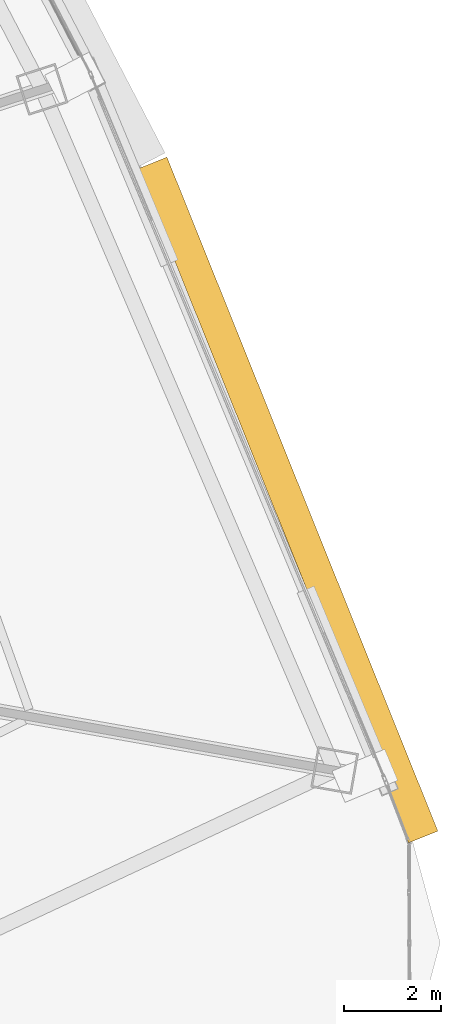
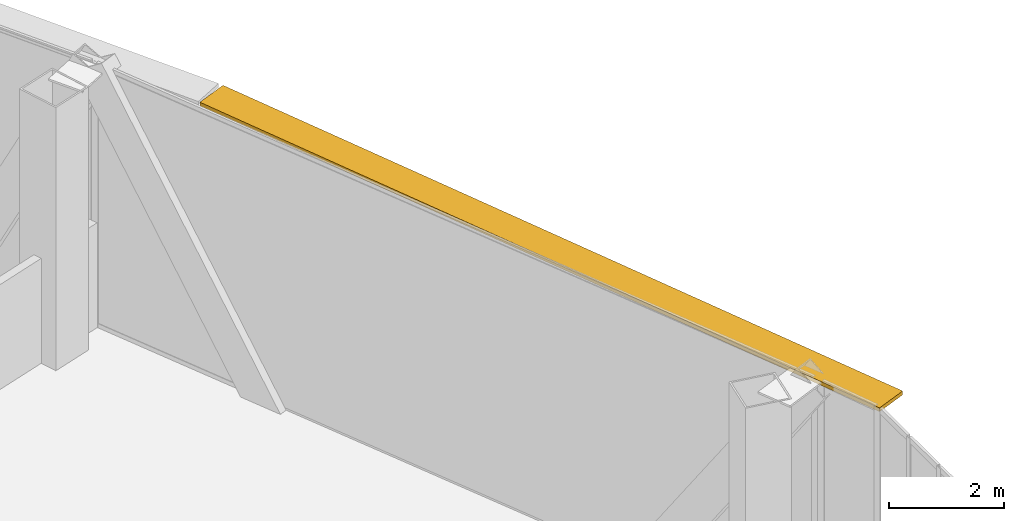
# One storey, part 38 of 38: 1 shading device.
"""IFC4 building model written with IfcOpenShell, lengths in metres."""

from ifc_helpers import new_model, si_unit, direction, frame, origin, origin_2d, place, context, subcontext, project, spatial, rectangle, extrude, source, transform, mapped, material, layer, layer_set, type_object, element, save


model = new_model("IFC4")

# Units and contexts
model_context = context("Model", 3, precision=1e-05, world=origin(), true_north=direction((0.0, 1.0)))
body_context = subcontext(model_context, "Body", "Model", "MODEL_VIEW")
ifc_project = project(units=[si_unit("LENGTHUNIT", "METRE"), si_unit("AREAUNIT", "SQUARE_METRE"), si_unit("VOLUMEUNIT", "CUBIC_METRE"), si_unit("PLANEANGLEUNIT", "RADIAN"), si_unit("MASSUNIT", "GRAM", prefix="KILO"), si_unit("THERMODYNAMICTEMPERATUREUNIT", "KELVIN"), si_unit("POWERUNIT", "WATT")], contexts=[model_context])

# Site, building, storey
site_placement = place(None, origin())
site = spatial("IfcSite", under=ifc_project, at=site_placement, CompositionType="ELEMENT")
building_placement = place(site_placement, origin())
building = spatial("IfcBuilding", under=site, at=building_placement, Name="Yunzhuo Pagoda Commons", CompositionType="ELEMENT")
storey_placement = place(building_placement, frame((0.0, 0.0, 266.909912109375)))
storey = spatial("IfcBuildingStorey", under=building, at=storey_placement, Name="L67", CompositionType="ELEMENT", Elevation=266.909912109375)

# Shading device
ifc_material = material(Name="Anodized aluminium 6063-T6", Category="aluminium")
ifc_layer = layer(ifc_material, 0.080078125)
ifc_layer_set = layer_set([ifc_layer], Name="Anodized aluminium 6063-T6")
shading_device_type = type_object("IfcShadingDeviceType", Name="SH-SUN1 Pagoda Horizontal Sunshade Eave 650", PredefinedType="USERDEFINED", material=ifc_layer_set)
shared_shape = source(origin(), body_context, "Body", "SweptSolid", [
    extrude(rectangle(XDim=14.98095703125, YDim=0.64990234375, at=origin_2d()), origin(), (0.0, 0.0, 1.0), 0.080078125),
])
shading_device_placement = place(storey_placement, frame((78.9677734375, 33.64599609375, 5.489990234375), z_axis=(0.0, 0.0, 1.0), x_axis=(-0.372987782576, 0.927836253899, 0.0)))
element("IfcShadingDevice", 1, at=shading_device_placement, inside=storey, type_object=shading_device_type, Name="L67 horizontal pagoda sunshade eave F2.1", ObjectType="SUNSHADE", PredefinedType="USERDEFINED", context=body_context, shape_type="MappedRepresentation", body=[
    mapped(shared_shape, transform((0.0, 0.0, 0.0), scale=1.0)),
])

save(model, "model.ifc")
